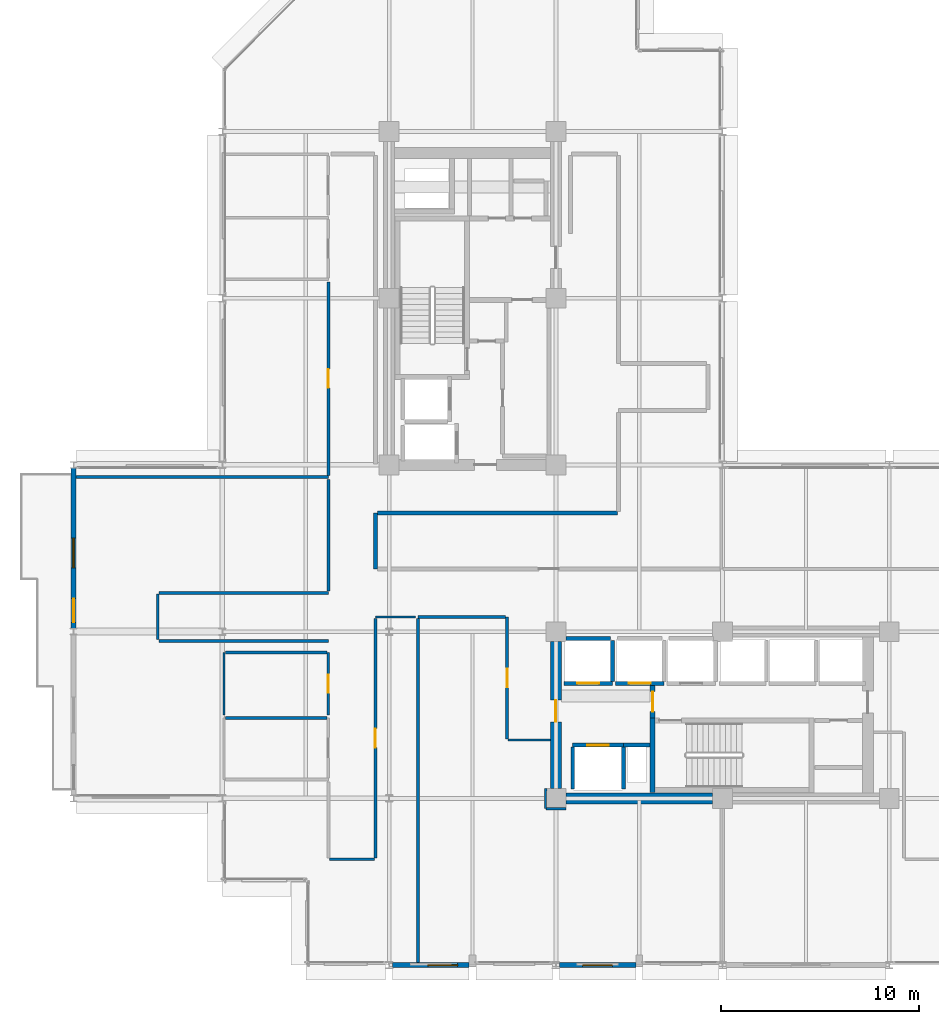
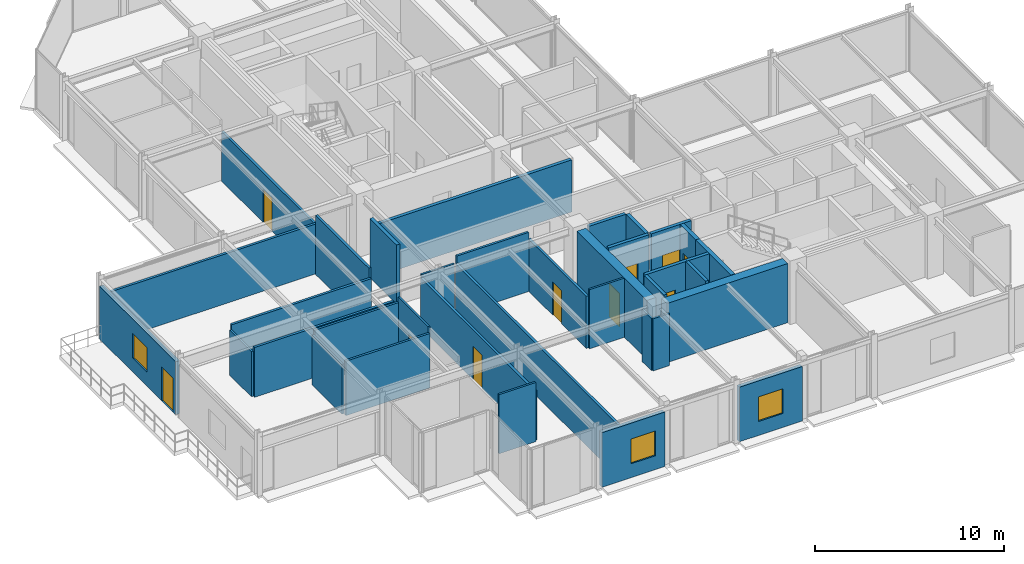
# One storey, part 24 of 29: 36 walls, 10 doors, 3 windows, 13 openings.
"""IFC4 building model written with IfcOpenShell, lengths in metres."""

from ifc_helpers import new_model, si_unit, direction, frame, frame_2d, origin, place, context, subcontext, project, spatial, rectangle, extrude, material, layer, layer_set, type_object, element, fill, save


model = new_model("IFC4")

# Units and contexts
model_context = context("Model", 3, precision=1e-05, world=origin(), true_north=direction((0.0, 1.0)))
body_context = subcontext(model_context, "Body", "Model", "MODEL_VIEW")
ifc_project = project(units=[si_unit("LENGTHUNIT", "METRE"), si_unit("AREAUNIT", "SQUARE_METRE"), si_unit("VOLUMEUNIT", "CUBIC_METRE"), si_unit("PLANEANGLEUNIT", "RADIAN"), si_unit("MASSUNIT", "GRAM", prefix="KILO")], contexts=[model_context])

# Site, building, storey
site_placement = place(None, origin())
site = spatial("IfcSite", under=ifc_project, at=site_placement, CompositionType="ELEMENT")
building_placement = place(site_placement, origin())
building = spatial("IfcBuilding", under=site, at=building_placement, Name="Nerrivon Quay Data Exchange", CompositionType="ELEMENT")
storey_placement = place(building_placement, frame((0.0, 0.0, 191.89990234375)))
storey = spatial("IfcBuildingStorey", under=building, at=storey_placement, Name="L45", CompositionType="ELEMENT", Elevation=191.89990234375)

# Wall, openings, door, window
ifc_material_1 = material(Name="Architectural terracotta precast concrete N50 (50 MPa)", Category="masonry")
ifc_layer_1 = layer(ifc_material_1, 0.239990234375)
ifc_layer_set_1 = layer_set([ifc_layer_1], Name="Architectural terracotta precast concrete N50 (50 MPa)")
wall_type_1 = type_object("IfcWallType", Name="EW-PREC-240", PredefinedType="STANDARD", material=ifc_layer_set_1)
wall_1_placement = place(storey_placement, frame((-7.5, 16.96337890625, 0.0), z_axis=(0.0, 0.0, 1.0), x_axis=(0.0, 1.0, 0.0)))
wall_1 = element("IfcWall", 1, at=wall_1_placement, inside=storey, type_object=wall_type_1, Name="L45 Terrace Host Wall 2", PredefinedType="STANDARD", context=body_context, shape_type="SweptSolid", body=[
    extrude(rectangle(XDim=8.0732421875, YDim=0.239990234375, at=frame_2d((4.03662109375, 0.0))), origin(), (0.0, 0.0, 1.0), 3.422119140625),
])
opening_1_placement = place(wall_1_placement, frame((0.300048828125, 0.0, 0.0)))
opening_1 = element("IfcOpeningElement", 2, at=opening_1_placement, cuts=wall_1, Name="Opening TD1", PredefinedType="OPENING", context=body_context, shape_type="SweptSolid", body=[
    extrude(rectangle(XDim=1.199951171875, YDim=2.199951171875, at=frame_2d((0.60009765625, 1.10009765625))), frame((0.0, 0.1298828125, 0.0), z_axis=(0.0, -1.0, 0.0), x_axis=(1.0, 0.0, 0.0)), (0.0, 0.0, 1.0), 0.260009765625),
])
opening_2_placement = place(wall_1_placement, frame((3.052978515625, 0.0, 0.89990234375)))
opening_2 = element("IfcOpeningElement", 3, at=opening_2_placement, cuts=wall_1, Name="Opening WN4", PredefinedType="OPENING", context=body_context, shape_type="SweptSolid", body=[
    extrude(rectangle(XDim=1.5, YDim=1.60009765625, at=frame_2d((0.75, 0.800048828125))), frame((0.0, 0.1298828125, 0.0), z_axis=(0.0, -1.0, 0.0), x_axis=(1.0, 0.0, 0.0)), (0.0, 0.0, 1.0), 0.260009765625),
])
ifc_material_2 = material(Name="Double-glazed low-E solar control glass", Category="glass")
door_type_1 = type_object("IfcDoorType", Name="DR-TERR-1200x2200", OperationType="NOTDEFINED", PredefinedType="DOOR", material=ifc_material_2)
door_1_placement = place(opening_1_placement, origin())
door_1 = element("IfcDoor", 4, at=door_1_placement, inside=storey, type_object=door_type_1, Name="L45 Outdoor Terrace Access Door 2", OperationType="SINGLE_SWING_LEFT", OverallHeight=2.199951171875, OverallWidth=1.199951171875, PredefinedType="DOOR", context=body_context, shape_type="SweptSolid", body=[
    extrude(rectangle(XDim=1.199951171875, YDim=2.199951171875, at=frame_2d((0.60009765625, 1.10009765625))), frame((0.0, 0.02490234375, 0.0), z_axis=(0.0, -1.0, 0.0), x_axis=(1.0, 0.0, 0.0)), (0.0, 0.0, 1.0), 0.050048828125),
])
fill(opening_1, door_1)
window_type = type_object("IfcWindowType", Name="WIN-W4-1500x1600", PartitioningType="SINGLE_PANEL", PredefinedType="WINDOW", material=ifc_material_2)
window_1_placement = place(opening_2_placement, origin())
window_1 = element("IfcWindow", 5, at=window_1_placement, inside=storey, type_object=window_type, Name="L45 Terrace Side Window 2", OverallHeight=1.60009765625, OverallWidth=1.5, PartitioningType="SINGLE_PANEL", PredefinedType="WINDOW", context=body_context, shape_type="SweptSolid", body=[
    extrude(rectangle(XDim=1.5, YDim=1.60009765625, at=frame_2d((0.75, 0.800048828125))), frame((0.0, 0.030029296875, 0.0), z_axis=(0.0, -1.0, 0.0), x_axis=(1.0, 0.0, 0.0)), (0.0, 0.0, 1.0), 0.06005859375),
])
fill(opening_2, window_1)

# Wall, opening, window
wall_2_placement = place(storey_placement, frame((20.824951171875, 0.0, 0.0), z_axis=(0.0, 0.0, 1.0), x_axis=(-1.0, 0.0, 0.0)))
wall_2 = element("IfcWall", 6, at=wall_2_placement, inside=storey, type_object=wall_type_1, Name="L45 Podium Precast Spandrel Wall 25", PredefinedType="STANDARD", context=body_context, shape_type="SweptSolid", body=[
    extrude(rectangle(XDim=3.849853515625, YDim=0.239990234375, at=frame_2d((1.9248046875, 0.0))), origin(), (0.0, 0.0, 1.0), 3.525146484375),
])
opening_3_placement = place(wall_2_placement, frame((1.175048828125, 0.0, 0.89990234375)))
opening_3 = element("IfcOpeningElement", 7, at=opening_3_placement, cuts=wall_2, Name="Opening WN4", PredefinedType="OPENING", context=body_context, shape_type="SweptSolid", body=[
    extrude(rectangle(XDim=1.5, YDim=1.60009765625, at=frame_2d((0.75, 0.800048828125))), frame((0.0, 0.1298828125, 0.0), z_axis=(0.0, -1.0, 0.0), x_axis=(1.0, 0.0, 0.0)), (0.0, 0.0, 1.0), 0.260009765625),
])
window_2_placement = place(opening_3_placement, origin())
window_2 = element("IfcWindow", 8, at=window_2_placement, inside=storey, type_object=window_type, Name="L45 Solar Facade Window 25", OverallHeight=1.60009765625, OverallWidth=1.5, PartitioningType="SINGLE_PANEL", PredefinedType="WINDOW", context=body_context, shape_type="SweptSolid", body=[
    extrude(rectangle(XDim=1.5, YDim=1.60009765625, at=frame_2d((0.75, 0.800048828125))), frame((0.0, 0.030029296875, 0.0), z_axis=(0.0, -1.0, 0.0), x_axis=(1.0, 0.0, 0.0)), (0.0, 0.0, 1.0), 0.06005859375),
])
fill(opening_3, window_2)

wall_3_placement = place(storey_placement, frame((12.425048828125, 0.0, 0.0), z_axis=(0.0, 0.0, 1.0), x_axis=(-1.0, 0.0, 0.0)))
wall_3 = element("IfcWall", 9, at=wall_3_placement, inside=storey, type_object=wall_type_1, Name="L45 Podium Precast Spandrel Wall 27", PredefinedType="STANDARD", context=body_context, shape_type="SweptSolid", body=[
    extrude(rectangle(XDim=3.85009765625, YDim=0.239990234375, at=frame_2d((1.925048828125, 0.0))), origin(), (0.0, 0.0, 1.0), 3.525146484375),
])
opening_4_placement = place(wall_3_placement, frame((0.57861328125, 0.0, 0.89990234375)))
opening_4 = element("IfcOpeningElement", 10, at=opening_4_placement, cuts=wall_3, Name="Opening WN4", PredefinedType="OPENING", context=body_context, shape_type="SweptSolid", body=[
    extrude(rectangle(XDim=1.5, YDim=1.60009765625, at=frame_2d((0.75, 0.800048828125))), frame((0.0, 0.1298828125, 0.0), z_axis=(0.0, -1.0, 0.0), x_axis=(1.0, 0.0, 0.0)), (0.0, 0.0, 1.0), 0.260009765625),
])
window_3_placement = place(opening_4_placement, origin())
window_3 = element("IfcWindow", 11, at=window_3_placement, inside=storey, type_object=window_type, Name="L45 Solar Facade Window 27", OverallHeight=1.60009765625, OverallWidth=1.5, PartitioningType="SINGLE_PANEL", PredefinedType="WINDOW", context=body_context, shape_type="SweptSolid", body=[
    extrude(rectangle(XDim=1.5, YDim=1.60009765625, at=frame_2d((0.75, 0.800048828125))), frame((0.0, 0.030029296875, 0.0), z_axis=(0.0, -1.0, 0.0), x_axis=(1.0, 0.0, 0.0)), (0.0, 0.0, 1.0), 0.06005859375),
])
fill(opening_4, window_3)

# Wall
ifc_material_3 = material(Name="Concrete S65 (65 MPa)", Category="concrete")
ifc_layer_2 = layer(ifc_material_3, 0.550048828125)
ifc_layer_set_2 = layer_set([ifc_layer_2], Name="Concrete S65 (65 MPa)")
wall_type_2 = type_object("IfcWallType", Name="WALL-CW-700", PredefinedType="SHEAR", material=ifc_layer_set_2)
wall_4_placement = place(storey_placement, frame((17.300048828125, 8.39990234375, 0.0), z_axis=(0.0, 0.0, 1.0), x_axis=(1.0, 0.0, 0.0)))
element("IfcWall", 12, at=wall_4_placement, inside=storey, type_object=wall_type_2, Name="L45 East Split-Core Shear Wall ECW-S1", PredefinedType="SHEAR", context=body_context, shape_type="SweptSolid", body=[
    extrude(rectangle(XDim=7.39990234375, YDim=0.550048828125, at=frame_2d((3.699951171875, 0.0))), origin(), (0.0, 0.0, 1.0), 3.8251953125),
])

# Wall, opening, door
wall_5_placement = place(storey_placement, frame((16.800048828125, 8.89990234375, 0.0), z_axis=(0.0, 0.0, 1.0), x_axis=(0.0, 1.0, 0.0)))
wall_5 = element("IfcWall", 13, at=wall_5_placement, inside=storey, type_object=wall_type_2, Name="L45 East Split-Core Shear Wall ECW-W1", PredefinedType="SHEAR", context=body_context, shape_type="SweptSolid", body=[
    extrude(rectangle(XDim=7.400146484375, YDim=0.550048828125, at=frame_2d((3.7001953125, 0.0))), origin(), (0.0, 0.0, 1.0), 3.8251953125),
])
opening_5_placement = place(wall_5_placement, frame((3.35009765625, 0.0, 0.0)))
opening_5 = element("IfcOpeningElement", 14, at=opening_5_placement, cuts=wall_5, Name="Opening FD-120", PredefinedType="OPENING", context=body_context, shape_type="SweptSolid", body=[
    extrude(rectangle(XDim=1.10009765625, YDim=2.14990234375, at=frame_2d((0.550048828125, 1.074951171875))), frame((0.0, 0.284912109375, 0.0), z_axis=(0.0, -1.0, 0.0), x_axis=(1.0, 0.0, 0.0)), (0.0, 0.0, 1.0), 0.570068359375),
])
ifc_material_4 = material(Name="Powder-coated galvanized steel sheet", Category="steel")
door_type_2 = type_object("IfcDoorType", Name="DR-FD120-1100", OperationType="NOTDEFINED", PredefinedType="DOOR", material=ifc_material_4)
door_2_placement = place(opening_5_placement, origin())
door_2 = element("IfcDoor", 15, at=door_2_placement, inside=storey, type_object=door_type_2, Name="L45 East Core Lobby Fire Door", OperationType="SINGLE_SWING_RIGHT", OverallHeight=2.14990234375, OverallWidth=1.10009765625, PredefinedType="DOOR", context=body_context, shape_type="SweptSolid", body=[
    extrude(rectangle(XDim=1.10009765625, YDim=2.14990234375, at=frame_2d((0.550048828125, 1.074951171875))), frame((0.0, 0.02490234375, 0.0), z_axis=(0.0, -1.0, 0.0), x_axis=(1.0, 0.0, 0.0)), (0.0, 0.0, 1.0), 0.050048828125),
])
fill(opening_5, door_2)

# Wall
ifc_material_5 = material(Name="Gypsum plasterboard on cold-formed framing", Category="gypsum")
ifc_layer_3 = layer(ifc_material_5, 0.199951171875)
ifc_layer_set_3 = layer_set([ifc_layer_3], Name="Gypsum plasterboard on cold-formed framing")
wall_type_3 = type_object("IfcWallType", Name="WALL-FW-200", PredefinedType="PARTITIONING", material=ifc_layer_set_3)
wall_6_placement = place(storey_placement, frame((20.199951171875, 11.080078125, 0.0), z_axis=(0.0, 0.0, 1.0), x_axis=(1.0, 0.0, 0.0)))
element("IfcWall", 16, at=wall_6_placement, inside=storey, type_object=wall_type_3, Name="L45 East Core MEP Riser Shaft Wall N", PredefinedType="PARTITIONING", context=body_context, shape_type="SweptSolid", body=[
    extrude(rectangle(XDim=1.35009765625, YDim=0.199951171875, at=frame_2d((0.675048828125, 0.0))), origin(), (0.0, 0.0, 1.0), 3.8251953125),
])

# Wall, opening, door
wall_7_placement = place(storey_placement, frame((17.64990234375, 11.080078125, 0.0), z_axis=(0.0, 0.0, 1.0), x_axis=(1.0, 0.0, 0.0)))
wall_7 = element("IfcWall", 17, at=wall_7_placement, inside=storey, type_object=wall_type_3, Name="L45 Lift Front Wall FFL-2", PredefinedType="PARTITIONING", context=body_context, shape_type="SweptSolid", body=[
    extrude(rectangle(XDim=2.550048828125, YDim=0.199951171875, at=frame_2d((1.27490234375, 0.0))), origin(), (0.0, 0.0, 1.0), 3.8251953125),
])
opening_6_placement = place(wall_7_placement, frame((0.72509765625, 0.0, 0.0)))
opening_6 = element("IfcOpeningElement", 18, at=opening_6_placement, cuts=wall_7, Name="Opening LD-120", PredefinedType="OPENING", context=body_context, shape_type="SweptSolid", body=[
    extrude(rectangle(XDim=1.10009765625, YDim=2.199951171875, at=frame_2d((0.550048828125, 1.10009765625))), frame((0.0, 0.10986328125, 0.0), z_axis=(0.0, -1.0, 0.0), x_axis=(1.0, 0.0, 0.0)), (0.0, 0.0, 1.0), 0.219970703125),
])
door_type_3 = type_object("IfcDoorType", Name="DR-LIFT-LD120", OperationType="DOUBLE_DOOR_SLIDING", PredefinedType="DOOR", material=ifc_material_4)
door_3_placement = place(opening_6_placement, origin())
door_3 = element("IfcDoor", 19, at=door_3_placement, inside=storey, type_object=door_type_3, Name="L45 Lift Landing Sliding Door FFL-2", OperationType="DOUBLE_DOOR_SLIDING", OverallHeight=2.199951171875, OverallWidth=1.10009765625, PredefinedType="DOOR", context=body_context, shape_type="SweptSolid", body=[
    extrude(rectangle(XDim=1.10009765625, YDim=2.199951171875, at=frame_2d((0.550048828125, 1.10009765625))), frame((0.0, 0.02490234375, 0.0), z_axis=(0.0, -1.0, 0.0), x_axis=(1.0, 0.0, 0.0)), (0.0, 0.0, 1.0), 0.050048828125),
])
fill(opening_6, door_3)

# Walls
for number, where, z_axis, x_axis, name in (
    (20, (20.199951171875, 8.8798828125, 0.0), (0.0, 0.0, 1.0), (0.0, 1.0, 0.0), "L45 Lift Shaft Wall FFL-2 EAST"),
    (21, (17.64990234375, 8.8798828125, 0.0), (0.0, 0.0, 1.0), (0.0, 1.0, 0.0), "L45 Lift Shaft Wall FFL-2 WEST"),
):
    element("IfcWall", number, at=place(storey_placement, frame(where, z_axis=z_axis, x_axis=x_axis)), inside=storey, type_object=wall_type_3, Name=name, PredefinedType="PARTITIONING", context=body_context, shape_type="SweptSolid", body=[
        extrude(rectangle(XDim=2.10009765625, YDim=0.199951171875, at=frame_2d((1.050048828125, 0.0))), origin(), (0.0, 0.0, 1.0), 3.8251953125),
    ])

# Wall, opening, door
wall_8_placement = place(storey_placement, frame((17.199951171875, 14.199951171875, 0.0), z_axis=(0.0, 0.0, 1.0), x_axis=(1.0, 0.0, 0.0)))
wall_8 = element("IfcWall", 22, at=wall_8_placement, inside=storey, type_object=wall_type_3, Name="L45 Lift Front Wall PL4", PredefinedType="PARTITIONING", context=body_context, shape_type="SweptSolid", body=[
    extrude(rectangle(XDim=2.449951171875, YDim=0.199951171875, at=frame_2d((1.22509765625, 0.0))), origin(), (0.0, 0.0, 1.0), 3.8251953125),
])
opening_7_placement = place(wall_8_placement, frame((0.675048828125, 0.0, 0.0)))
opening_7 = element("IfcOpeningElement", 23, at=opening_7_placement, cuts=wall_8, Name="Opening LD-120", PredefinedType="OPENING", context=body_context, shape_type="SweptSolid", body=[
    extrude(rectangle(XDim=1.10009765625, YDim=2.199951171875, at=frame_2d((0.550048828125, 1.10009765625))), frame((0.0, 0.10986328125, 0.0), z_axis=(0.0, -1.0, 0.0), x_axis=(1.0, 0.0, 0.0)), (0.0, 0.0, 1.0), 0.219970703125),
])
door_4_placement = place(opening_7_placement, origin())
door_4 = element("IfcDoor", 24, at=door_4_placement, inside=storey, type_object=door_type_3, Name="L45 Lift Landing Sliding Door PL4", OperationType="DOUBLE_DOOR_SLIDING", OverallHeight=2.199951171875, OverallWidth=1.10009765625, PredefinedType="DOOR", context=body_context, shape_type="SweptSolid", body=[
    extrude(rectangle(XDim=1.10009765625, YDim=2.199951171875, at=frame_2d((0.550048828125, 1.10009765625))), frame((0.0, 0.02490234375, 0.0), z_axis=(0.0, -1.0, 0.0), x_axis=(1.0, 0.0, 0.0)), (0.0, 0.0, 1.0), 0.050048828125),
])
fill(opening_7, door_4)

# Walls
wall_9_placement = place(storey_placement, frame((19.64990234375, 14.300048828125, 0.0), z_axis=(0.0, 0.0, 1.0), x_axis=(0.0, 1.0, 0.0)))
element("IfcWall", 25, at=wall_9_placement, inside=storey, type_object=wall_type_3, Name="L45 Lift Shaft Wall PL4 EAST", PredefinedType="PARTITIONING", context=body_context, shape_type="SweptSolid", body=[
    extrude(rectangle(XDim=2.050048828125, YDim=0.199951171875, at=frame_2d((1.02490234375, 0.0))), origin(), (0.0, 0.0, 1.0), 3.8251953125),
])
wall_10_placement = place(storey_placement, frame((17.300048828125, 16.449951171875, 0.0), z_axis=(0.0, 0.0, 1.0), x_axis=(1.0, 0.0, 0.0)))
element("IfcWall", 26, at=wall_10_placement, inside=storey, type_object=wall_type_3, Name="L45 Lift Shaft Wall PL4 NORTH", PredefinedType="PARTITIONING", context=body_context, shape_type="SweptSolid", body=[
    extrude(rectangle(XDim=2.25, YDim=0.199951171875, at=frame_2d((1.125, 0.0))), origin(), (0.0, 0.0, 1.0), 3.8251953125),
])

# Wall, opening, door
wall_11_placement = place(storey_placement, frame((19.800048828125, 14.199951171875, 0.0), z_axis=(0.0, 0.0, 1.0), x_axis=(1.0, 0.0, 0.0)))
wall_11 = element("IfcWall", 27, at=wall_11_placement, inside=storey, type_object=wall_type_3, Name="L45 Lift Front Wall PL5", PredefinedType="PARTITIONING", context=body_context, shape_type="SweptSolid", body=[
    extrude(rectangle(XDim=2.449951171875, YDim=0.199951171875, at=frame_2d((1.22509765625, 0.0))), origin(), (0.0, 0.0, 1.0), 3.8251953125),
])
opening_8_placement = place(wall_11_placement, frame((0.675048828125, 0.0, 0.0)))
opening_8 = element("IfcOpeningElement", 28, at=opening_8_placement, cuts=wall_11, Name="Opening LD-120", PredefinedType="OPENING", context=body_context, shape_type="SweptSolid", body=[
    extrude(rectangle(XDim=1.10009765625, YDim=2.199951171875, at=frame_2d((0.550048828125, 1.10009765625))), frame((0.0, 0.10986328125, 0.0), z_axis=(0.0, -1.0, 0.0), x_axis=(1.0, 0.0, 0.0)), (0.0, 0.0, 1.0), 0.219970703125),
])
door_5_placement = place(opening_8_placement, origin())
door_5 = element("IfcDoor", 29, at=door_5_placement, inside=storey, type_object=door_type_3, Name="L45 Lift Landing Sliding Door PL5", OperationType="DOUBLE_DOOR_SLIDING", OverallHeight=2.199951171875, OverallWidth=1.10009765625, PredefinedType="DOOR", context=body_context, shape_type="SweptSolid", body=[
    extrude(rectangle(XDim=1.10009765625, YDim=2.199951171875, at=frame_2d((0.550048828125, 1.10009765625))), frame((0.0, 0.02490234375, 0.0), z_axis=(0.0, -1.0, 0.0), x_axis=(1.0, 0.0, 0.0)), (0.0, 0.0, 1.0), 0.050048828125),
])
fill(opening_8, door_5)

# Walls
wall_12_placement = place(storey_placement, frame((7.7099609375, 22.7900390625, 0.0), z_axis=(0.0, 0.0, 1.0), x_axis=(0.0, -1.0, 0.0)))
element("IfcWall", 30, at=wall_12_placement, inside=storey, type_object=wall_type_3, Name="L45 Partition Colocation Data Workspace 1", PredefinedType="PARTITIONING", context=body_context, shape_type="SweptSolid", body=[
    extrude(rectangle(XDim=2.830078125, YDim=0.199951171875, at=frame_2d((1.4150390625, 0.0))), origin(), (0.0, 0.0, 1.0), 3.8251953125),
])
wall_13_placement = place(storey_placement, frame((19.89990234375, 22.7900390625, 0.0), z_axis=(0.0, 0.0, 1.0), x_axis=(-1.0, 0.0, 0.0)))
element("IfcWall", 31, at=wall_13_placement, inside=storey, type_object=wall_type_3, Name="L45 Partition Colocation Data Workspace 1", PredefinedType="PARTITIONING", context=body_context, shape_type="SweptSolid", body=[
    extrude(rectangle(XDim=12.0859375, YDim=0.199951171875, at=frame_2d((6.04296875, 0.0))), origin(), (0.0, 0.0, 1.0), 3.37109375),
])
ifc_layer_4 = layer(ifc_material_5, 0.1201171875)
ifc_layer_set_4 = layer_set([ifc_layer_4], Name="Gypsum plasterboard on cold-formed framing")
wall_type_4 = type_object("IfcWallType", Name="WALL-PT-120", PredefinedType="PARTITIONING", material=ifc_layer_set_4)
wall_14_placement = place(storey_placement, frame((0.080078125, 15.75, 0.0), z_axis=(0.0, 0.0, 1.0), x_axis=(0.0, -1.0, 0.0)))
element("IfcWall", 32, at=wall_14_placement, inside=storey, type_object=wall_type_4, Name="L45 Partition Public Washrooms", PredefinedType="PARTITIONING", context=body_context, shape_type="SweptSolid", body=[
    extrude(rectangle(XDim=3.14990234375, YDim=0.1201171875, at=frame_2d((1.574951171875, 0.0))), origin(), (0.0, 0.0, 1.0), 3.22314453125),
])

# Wall, opening, door
wall_15_placement = place(storey_placement, frame((5.340087890625, 12.60009765625, 0.0), z_axis=(0.0, 0.0, 1.0), x_axis=(0.0, 1.0, 0.0)))
wall_15 = element("IfcWall", 33, at=wall_15_placement, inside=storey, type_object=wall_type_4, Name="L45 Partition Public Washrooms", PredefinedType="PARTITIONING", context=body_context, shape_type="SweptSolid", body=[
    extrude(rectangle(XDim=3.14990234375, YDim=0.1201171875, at=frame_2d((1.574951171875, 0.0))), origin(), (0.0, 0.0, 1.0), 3.8251953125),
])
opening_9_placement = place(wall_15_placement, frame((1.114990234375, 0.0, 0.0)))
opening_9 = element("IfcOpeningElement", 34, at=opening_9_placement, cuts=wall_15, Name="Opening D-WC", PredefinedType="OPENING", context=body_context, shape_type="SweptSolid", body=[
    extrude(rectangle(XDim=0.919921875, YDim=2.10009765625, at=frame_2d((0.4599609375, 1.050048828125))), frame((0.0, 0.070068359375, 0.0), z_axis=(0.0, -1.0, 0.0), x_axis=(1.0, 0.0, 0.0)), (0.0, 0.0, 1.0), 0.14013671875),
])
ifc_material_6 = material(Name="Engineered hardwood timber", Category="wood")
door_type_4 = type_object("IfcDoorType", Name="DR-WC-920", OperationType="NOTDEFINED", PredefinedType="DOOR", material=ifc_material_6)
door_6_placement = place(opening_9_placement, origin())
door_6 = element("IfcDoor", 35, at=door_6_placement, inside=storey, type_object=door_type_4, Name="L45 Door Public Washrooms", OperationType="SINGLE_SWING_LEFT", OverallHeight=2.10009765625, OverallWidth=0.919921875, PredefinedType="DOOR", context=body_context, shape_type="SweptSolid", body=[
    extrude(rectangle(XDim=0.919921875, YDim=2.10009765625, at=frame_2d((0.4599609375, 1.050048828125))), frame((0.0, 0.02490234375, 0.0), z_axis=(0.0, -1.0, 0.0), x_axis=(1.0, 0.0, 0.0)), (0.0, 0.0, 1.0), 0.050048828125),
])
fill(opening_9, door_6)

# Walls
wall_16_placement = place(storey_placement, frame((17.303955078125, 7.88037109375, 0.0), z_axis=(0.0, 0.0, 1.0), x_axis=(-0.999999883085, 0.000483558938, 0.0)))
element("IfcWall", 36, at=wall_16_placement, inside=storey, type_object=wall_type_4, Name="L45 Partition Client Conference Room 1", PredefinedType="PARTITIONING", context=body_context, shape_type="SweptSolid", body=[
    extrude(rectangle(XDim=1.009765625, YDim=0.1201171875, at=frame_2d((0.5048828125, 0.0))), origin(), (0.0, 0.0, 1.0), 3.37109375),
])
wall_17_placement = place(storey_placement, frame((16.280029296875, 7.89990234375, 0.0), z_axis=(0.0, 0.0, 1.0), x_axis=(0.000486381265, 0.999999881717, 0.0)))
element("IfcWall", 37, at=wall_17_placement, inside=storey, type_object=wall_type_4, Name="L45 Partition Client Conference Room 1", PredefinedType="PARTITIONING", context=body_context, shape_type="SweptSolid", body=[
    extrude(rectangle(XDim=1.00390625, YDim=0.1201171875, at=frame_2d((0.501953125, 0.0))), origin(), (0.0, 0.0, 1.0), 3.364990234375),
])
wall_18_placement = place(storey_placement, frame((16.52099609375, 11.340087890625, 0.0), z_axis=(0.0, 0.0, 1.0), x_axis=(-1.0, 0.0, 0.0)))
element("IfcWall", 38, at=wall_18_placement, inside=storey, type_object=wall_type_4, Name="L45 Partition Client Conference Room 1", PredefinedType="PARTITIONING", context=body_context, shape_type="SweptSolid", body=[
    extrude(rectangle(XDim=2.12109375, YDim=0.1201171875, at=frame_2d((1.060546875, 0.0))), origin(), (0.0, 0.0, 1.0), 3.8251953125),
])
wall_19_placement = place(storey_placement, frame((9.738037109375, 17.5400390625, 0.0), z_axis=(0.0, 0.0, 1.0), x_axis=(-1.0, 0.0, 0.0)))
element("IfcWall", 39, at=wall_19_placement, inside=storey, type_object=wall_type_4, Name="L45 Partition Peering Huddle Meeting Room", PredefinedType="PARTITIONING", context=body_context, shape_type="SweptSolid", body=[
    extrude(rectangle(XDim=2.028076171875, YDim=0.1201171875, at=frame_2d((1.01416015625, 0.0))), origin(), (0.0, 0.0, 1.0), 3.37109375),
])
wall_20_placement = place(storey_placement, frame((7.64990234375, 5.340087890625, 0.0), z_axis=(0.0, 0.0, 1.0), x_axis=(-1.0, 0.0, 0.0)))
element("IfcWall", 40, at=wall_20_placement, inside=storey, type_object=wall_type_4, Name="L45 Partition Peering Huddle Meeting Room", PredefinedType="PARTITIONING", context=body_context, shape_type="SweptSolid", body=[
    extrude(rectangle(XDim=2.25, YDim=0.1201171875, at=frame_2d((1.125, 0.0))), origin(), (0.0, 0.0, 1.0), 3.8251953125),
])
wall_21_placement = place(storey_placement, frame((-3.260009765625, 16.39990234375, 0.0), z_axis=(0.0, 0.0, 1.0), x_axis=(0.0, 1.0, 0.0)))
element("IfcWall", 41, at=wall_21_placement, inside=storey, type_object=wall_type_4, Name="L45 Partition Peering Huddle Meeting Room", PredefinedType="PARTITIONING", context=body_context, shape_type="SweptSolid", body=[
    extrude(rectangle(XDim=2.300048828125, YDim=0.1201171875, at=frame_2d((1.14990234375, 0.0))), origin(), (0.0, 0.0, 1.0), 2.9150390625),
])
ifc_layer_5 = layer(ifc_material_5, 0.135009765625)
ifc_layer_set_5 = layer_set([ifc_layer_5], Name="Gypsum plasterboard on cold-formed framing")
wall_type_5 = type_object("IfcWallType", Name="WALL-PT-135", PredefinedType="PARTITIONING", material=ifc_layer_set_5)
for number, where, z_axis, x_axis, name in (
    (42, (5.27587890625, 12.449951171875, 0.0), (0.0, 0.0, 1.0), (-1.0, 0.0, 0.0), "L45 Partition Accessible Toilet"),
    (43, (5.27587890625, 15.75, 0.0), (0.0, 0.0, 1.0), (-1.0, 0.0, 0.0), "L45 Partition Public Washrooms"),
):
    element("IfcWall", number, at=place(storey_placement, frame(where, z_axis=z_axis, x_axis=x_axis)), inside=storey, type_object=wall_type_5, Name=name, PredefinedType="PARTITIONING", context=body_context, shape_type="SweptSolid", body=[
        extrude(rectangle(XDim=5.1318359375, YDim=0.135009765625, at=frame_2d((2.56591796875, 0.0))), origin(), (0.0, 0.0, 1.0), 3.51806640625),
    ])
wall_22_placement = place(storey_placement, frame((14.260986328125, 17.5400390625, 0.0), z_axis=(0.0, 0.0, 1.0), x_axis=(-1.0, 0.0, 0.0)))
element("IfcWall", 44, at=wall_22_placement, inside=storey, type_object=wall_type_5, Name="L45 Partition Client Conference Room 1", PredefinedType="PARTITIONING", context=body_context, shape_type="SweptSolid", body=[
    extrude(rectangle(XDim=4.40283203125, YDim=0.135009765625, at=frame_2d((2.201416015625, 0.0))), origin(), (0.0, 0.0, 1.0), 3.8251953125),
])
ifc_layer_6 = layer(ifc_material_5, 0.14990234375)
ifc_layer_set_6 = layer_set([ifc_layer_6], Name="Gypsum plasterboard on cold-formed framing")
wall_type_6 = type_object("IfcWallType", Name="WALL-PT-150", PredefinedType="PARTITIONING", material=ifc_layer_set_6)
wall_23_placement = place(storey_placement, frame((-7.3759765625, 24.599365234375, 0.0), z_axis=(0.0, 0.0, 1.0), x_axis=(1.0, 0.0, 0.0)))
element("IfcWall", 45, at=wall_23_placement, inside=storey, type_object=wall_type_6, Name="L45 Partition Staff Pantry", PredefinedType="PARTITIONING", context=body_context, shape_type="SweptSolid", body=[
    extrude(rectangle(XDim=12.716064453125, YDim=0.14990234375, at=frame_2d((6.35791015625, 0.0))), origin(), (0.0, 0.0, 1.0), 3.22314453125),
])

# Wall, opening, door
wall_24_placement = place(storey_placement, frame((5.340087890625, 24.678466796875, 0.0), z_axis=(0.0, 0.0, 1.0), x_axis=(0.0, 1.0, 0.0)))
wall_24 = element("IfcWall", 46, at=wall_24_placement, inside=storey, type_object=wall_type_6, Name="L45 Partition Staff Pantry", PredefinedType="PARTITIONING", context=body_context, shape_type="SweptSolid", body=[
    extrude(rectangle(XDim=9.75146484375, YDim=0.14990234375, at=frame_2d((4.875732421875, 0.0))), origin(), (0.0, 0.0, 1.0), 3.213134765625),
])
opening_10_placement = place(wall_24_placement, frame((4.40087890625, 0.0, 0.0)))
opening_10 = element("IfcOpeningElement", 47, at=opening_10_placement, cuts=wall_24, Name="Opening D-01", PredefinedType="OPENING", context=body_context, shape_type="SweptSolid", body=[
    extrude(rectangle(XDim=0.949951171875, YDim=2.14990234375, at=frame_2d((0.47509765625, 1.074951171875))), frame((0.0, 0.0849609375, 0.0), z_axis=(0.0, -1.0, 0.0), x_axis=(1.0, 0.0, 0.0)), (0.0, 0.0, 1.0), 0.169921875),
])
door_type_5 = type_object("IfcDoorType", Name="DR-INT-950", OperationType="NOTDEFINED", PredefinedType="DOOR", material=ifc_material_6)
door_7_placement = place(opening_10_placement, origin())
door_7 = element("IfcDoor", 48, at=door_7_placement, inside=storey, type_object=door_type_5, Name="L45 Door Staff Pantry", OperationType="SINGLE_SWING_RIGHT", OverallHeight=2.14990234375, OverallWidth=0.949951171875, PredefinedType="DOOR", context=body_context, shape_type="SweptSolid", body=[
    extrude(rectangle(XDim=0.949951171875, YDim=2.14990234375, at=frame_2d((0.47509765625, 1.074951171875))), frame((0.0, 0.02490234375, 0.0), z_axis=(0.0, -1.0, 0.0), x_axis=(1.0, 0.0, 0.0)), (0.0, 0.0, 1.0), 0.050048828125),
])
fill(opening_10, door_7)

wall_25_placement = place(storey_placement, frame((14.340087890625, 11.39990234375, 0.0), z_axis=(0.0, 0.0, 1.0), x_axis=(0.0, 1.0, 0.0)))
wall_25 = element("IfcWall", 49, at=wall_25_placement, inside=storey, type_object=wall_type_6, Name="L45 Partition Client Conference Room 1", PredefinedType="PARTITIONING", context=body_context, shape_type="SweptSolid", body=[
    extrude(rectangle(XDim=6.14013671875, YDim=0.14990234375, at=frame_2d((3.070068359375, 0.0))), origin(), (0.0, 0.0, 1.0), 3.364990234375),
])
opening_11_placement = place(wall_25_placement, frame((2.594970703125, 0.0, 0.0)))
opening_11 = element("IfcOpeningElement", 50, at=opening_11_placement, cuts=wall_25, Name="Opening D-01", PredefinedType="OPENING", context=body_context, shape_type="SweptSolid", body=[
    extrude(rectangle(XDim=0.949951171875, YDim=2.14990234375, at=frame_2d((0.47509765625, 1.074951171875))), frame((0.0, 0.0849609375, 0.0), z_axis=(0.0, -1.0, 0.0), x_axis=(1.0, 0.0, 0.0)), (0.0, 0.0, 1.0), 0.169921875),
])
door_8_placement = place(opening_11_placement, origin())
door_8 = element("IfcDoor", 51, at=door_8_placement, inside=storey, type_object=door_type_5, Name="L45 Door Client Conference Room 1", OperationType="SINGLE_SWING_LEFT", OverallHeight=2.14990234375, OverallWidth=0.949951171875, PredefinedType="DOOR", context=body_context, shape_type="SweptSolid", body=[
    extrude(rectangle(XDim=0.949951171875, YDim=2.14990234375, at=frame_2d((0.47509765625, 1.074951171875))), frame((0.0, 0.02490234375, 0.0), z_axis=(0.0, -1.0, 0.0), x_axis=(1.0, 0.0, 0.0)), (0.0, 0.0, 1.0), 0.050048828125),
])
fill(opening_11, door_8)

# Walls
wall_26_placement = place(storey_placement, frame((9.858154296875, 17.468505859375, 0.0), z_axis=(0.0, 0.0, 1.0), x_axis=(0.0, -1.0, 0.0)))
element("IfcWall", 52, at=wall_26_placement, inside=storey, type_object=wall_type_6, Name="L45 Partition Client Conference Room 1", PredefinedType="PARTITIONING", context=body_context, shape_type="SweptSolid", body=[
    extrude(rectangle(XDim=17.344482421875, YDim=0.14990234375, at=frame_2d((8.67236328125, 0.0))), origin(), (0.0, 0.0, 1.0), 3.364990234375),
])
wall_27_placement = place(storey_placement, frame((-3.199951171875, 18.760009765625, 0.0), z_axis=(0.0, 0.0, 1.0), x_axis=(1.0, 0.0, 0.0)))
element("IfcWall", 53, at=wall_27_placement, inside=storey, type_object=wall_type_6, Name="L45 Partition Peering Huddle Meeting Room", PredefinedType="PARTITIONING", context=body_context, shape_type="SweptSolid", body=[
    extrude(rectangle(XDim=8.5400390625, YDim=0.14990234375, at=frame_2d((4.27001953125, 0.0))), origin(), (0.0, 0.0, 1.0), 3.22314453125),
])
wall_28_placement = place(storey_placement, frame((5.340087890625, 18.839111328125, 0.0), z_axis=(0.0, 0.0, 1.0), x_axis=(0.0, 1.0, 0.0)))
element("IfcWall", 54, at=wall_28_placement, inside=storey, type_object=wall_type_6, Name="L45 Partition Peering Huddle Meeting Room", PredefinedType="PARTITIONING", context=body_context, shape_type="SweptSolid", body=[
    extrude(rectangle(XDim=5.640380859375, YDim=0.14990234375, at=frame_2d((2.8203125, 0.0))), origin(), (0.0, 0.0, 1.0), 3.8251953125),
])

# Wall, opening, door
wall_29_placement = place(storey_placement, frame((7.7099609375, 17.47607421875, 0.0), z_axis=(0.0, 0.0, 1.0), x_axis=(0.0, -1.0, 0.0)))
wall_29 = element("IfcWall", 55, at=wall_29_placement, inside=storey, type_object=wall_type_6, Name="L45 Partition Peering Huddle Meeting Room", PredefinedType="PARTITIONING", context=body_context, shape_type="SweptSolid", body=[
    extrude(rectangle(XDim=12.076171875, YDim=0.14990234375, at=frame_2d((6.0380859375, 0.0))), origin(), (0.0, 0.0, 1.0), 3.213134765625),
])
opening_12_placement = place(wall_29_placement, frame((5.56298828125, 0.0, 0.0)))
opening_12 = element("IfcOpeningElement", 56, at=opening_12_placement, cuts=wall_29, Name="Opening D-01", PredefinedType="OPENING", context=body_context, shape_type="SweptSolid", body=[
    extrude(rectangle(XDim=0.949951171875, YDim=2.14990234375, at=frame_2d((0.47509765625, 1.074951171875))), frame((0.0, 0.0849609375, 0.0), z_axis=(0.0, -1.0, 0.0), x_axis=(1.0, 0.0, 0.0)), (0.0, 0.0, 1.0), 0.169921875),
])
door_9_placement = place(opening_12_placement, origin())
door_9 = element("IfcDoor", 57, at=door_9_placement, inside=storey, type_object=door_type_5, Name="L45 Door Peering Huddle Meeting Room", OperationType="SINGLE_SWING_RIGHT", OverallHeight=2.14990234375, OverallWidth=0.949951171875, PredefinedType="DOOR", context=body_context, shape_type="SweptSolid", body=[
    extrude(rectangle(XDim=0.949951171875, YDim=2.14990234375, at=frame_2d((0.47509765625, 1.074951171875))), frame((0.0, 0.02490234375, 0.0), z_axis=(0.0, -1.0, 0.0), x_axis=(1.0, 0.0, 0.0)), (0.0, 0.0, 1.0), 0.050048828125),
])
fill(opening_12, door_9)

# Walls
wall_30_placement = place(storey_placement, frame((5.340087890625, 16.340087890625, 0.0), z_axis=(0.0, 0.0, 1.0), x_axis=(-1.0, 0.0, 0.0)))
element("IfcWall", 58, at=wall_30_placement, inside=storey, type_object=wall_type_6, Name="L45 Partition Peering Huddle Meeting Room", PredefinedType="PARTITIONING", context=body_context, shape_type="SweptSolid", body=[
    extrude(rectangle(XDim=8.5400390625, YDim=0.14990234375, at=frame_2d((4.27001953125, 0.0))), origin(), (0.0, 0.0, 1.0), 3.22314453125),
])
ifc_material_7 = material(Name="Concrete N50 (50 MPa)", Category="concrete")
ifc_layer_7 = layer(ifc_material_7, 0.25)
ifc_layer_set_7 = layer_set([ifc_layer_7], Name="Concrete N50 (50 MPa)")
wall_type_7 = type_object("IfcWallType", Name="WALL-SW-250", PredefinedType="SHEAR", material=ifc_layer_set_7)
wall_31_placement = place(storey_placement, frame((21.675048828125, 8.699951171875, 0.0), z_axis=(0.0, 0.0, 1.0), x_axis=(0.0, 1.0, 0.0)))
element("IfcWall", 59, at=wall_31_placement, inside=storey, type_object=wall_type_7, Name="L45 ST02 Structural Stair Core Wall NEAR", PredefinedType="SHEAR", context=body_context, shape_type="SweptSolid", body=[
    extrude(rectangle(XDim=3.75, YDim=0.25, at=frame_2d((1.875, 0.0))), origin(), (0.0, 0.0, 1.0), 3.8251953125),
])

# Wall, opening, door
wall_32_placement = place(storey_placement, frame((21.679931640625, 12.449951171875, 0.0), z_axis=(0.0, 0.0, 1.0), x_axis=(0.0, 1.0, 0.0)))
wall_32 = element("IfcWall", 60, at=wall_32_placement, inside=storey, type_object=wall_type_7, Name="L45 East Firefighting Lobby Wall", PredefinedType="SHEAR", context=body_context, shape_type="SweptSolid", body=[
    extrude(rectangle(XDim=1.650146484375, YDim=0.25, at=frame_2d((0.8251953125, 0.0))), origin(), (0.0, 0.0, 1.0), 3.8251953125),
])
opening_13_placement = place(wall_32_placement, frame((0.324951171875, 0.0, 0.0)))
opening_13 = element("IfcOpeningElement", 61, at=opening_13_placement, cuts=wall_32, Name="Opening FD-60", PredefinedType="OPENING", context=body_context, shape_type="SweptSolid", body=[
    extrude(rectangle(XDim=1.0, YDim=2.14990234375, at=frame_2d((0.5, 1.074951171875))), frame((0.0, 0.135009765625, 0.0), z_axis=(0.0, -1.0, 0.0), x_axis=(1.0, 0.0, 0.0)), (0.0, 0.0, 1.0), 0.27001953125),
])
door_type_6 = type_object("IfcDoorType", Name="DR-FD60-1000", OperationType="NOTDEFINED", PredefinedType="DOOR", material=ifc_material_6)
door_10_placement = place(opening_13_placement, origin())
door_10 = element("IfcDoor", 62, at=door_10_placement, inside=storey, type_object=door_type_6, Name="L45 East Firefighting Lobby Fire Door", OperationType="SINGLE_SWING_RIGHT", OverallHeight=2.14990234375, OverallWidth=1.0, PredefinedType="DOOR", context=body_context, shape_type="SweptSolid", body=[
    extrude(rectangle(XDim=1.0, YDim=2.14990234375, at=frame_2d((0.5, 1.074951171875))), frame((0.0, 0.02490234375, 0.0), z_axis=(0.0, -1.0, 0.0), x_axis=(1.0, 0.0, 0.0)), (0.0, 0.0, 1.0), 0.050048828125),
])
fill(opening_13, door_10)

save(model, "model.ifc")
